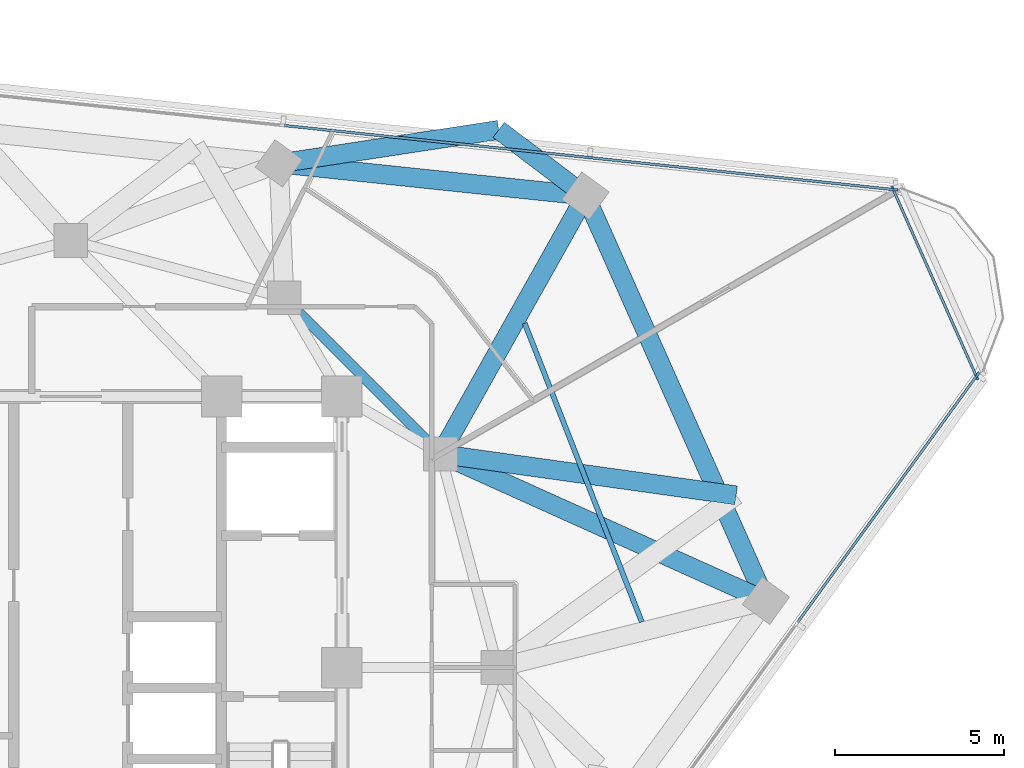
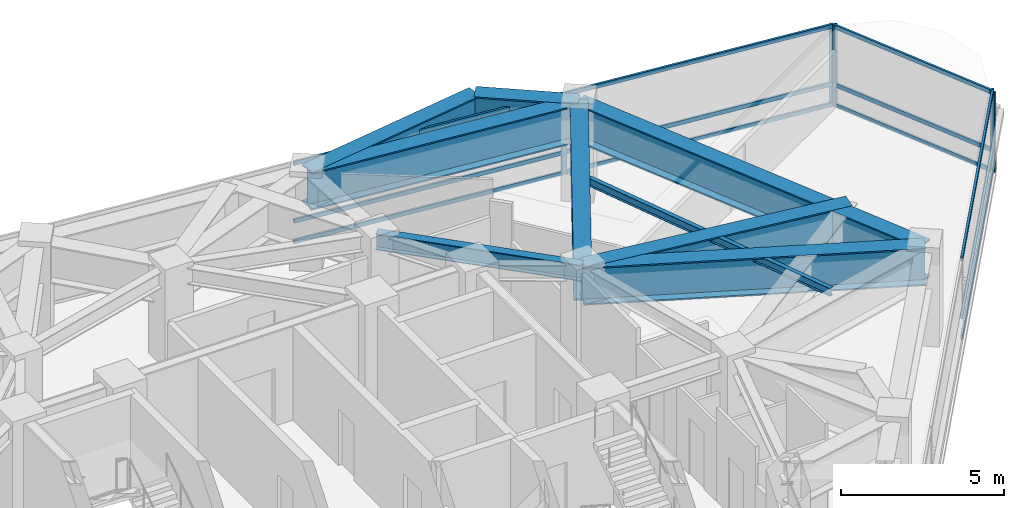
# One storey, part 6 of 14: 17 members, 9 beams, 3 elements without a shape of their own.
"""IFC4 building model written with IfcOpenShell, lengths in metres."""

from ifc_helpers import new_model, si_unit, direction, frame, origin, origin_2d, place, context, subcontext, project, spatial, rectangle, i_section, extrude, material, layer, layer_set, material_profile, profile_set, type_object, element, aggregate, save


model = new_model("IFC4")

# Units and contexts
model_context = context("Model", 3, precision=1e-05, world=origin(), true_north=direction((0.0, 1.0)))
body_context = subcontext(model_context, "Body", "Model", "MODEL_VIEW")
ifc_project = project(units=[si_unit("LENGTHUNIT", "METRE"), si_unit("AREAUNIT", "SQUARE_METRE"), si_unit("VOLUMEUNIT", "CUBIC_METRE"), si_unit("PLANEANGLEUNIT", "RADIAN"), si_unit("MASSUNIT", "GRAM", prefix="KILO")], contexts=[model_context])

# Site, building, storey
site_placement = place(None, origin())
site = spatial("IfcSite", under=ifc_project, at=site_placement, CompositionType="ELEMENT")
building_placement = place(site_placement, origin())
building = spatial("IfcBuilding", under=site, at=building_placement, Name="Terralouvre Media Tower", CompositionType="ELEMENT")
storey_placement = place(building_placement, frame((0.0, 0.0, 244.800048828125)))
storey = spatial("IfcBuildingStorey", under=building, at=storey_placement, Name="L63", CompositionType="ELEMENT", Elevation=244.800048828125)

# Beam
ifc_material_1 = material(Name="Structural steel S355J2", Category="steel")
ifc_material_profile_1 = material_profile(ifc_material_1, i_section(OverallWidth=0.14990234375, OverallDepth=0.300048828125, WebThickness=0.007080078125, FlangeThickness=0.0107421875, at=origin_2d()), Name="IPE 300")
ifc_profile_set_1 = profile_set([ifc_material_profile_1], Name="Structural steel S355J2")
beam_type_1 = type_object("IfcBeamType", Name="Composite Floor Joist J-IPE300 (IPE 300)", PredefinedType="JOIST", material=ifc_profile_set_1)
beam_1_placement = place(storey_placement, frame((16.848388671875, 1.344970703125, 3.349853515625), z_axis=(-0.36482625964, 0.931075614694, 0.0), x_axis=(-0.931075614694, -0.36482625964, 0.0)))
element("IfcBeam", 1, at=beam_1_placement, inside=storey, type_object=beam_type_1, Name="L63 Framing Beam JT-L63-03", PredefinedType="JOIST", context=body_context, shape_type="SweptSolid", body=[
    extrude(i_section(OverallWidth=0.14990234375, OverallDepth=0.300048828125, WebThickness=0.007080078125, FlangeThickness=0.0107421875, at=origin_2d()), origin(), (0.0, 0.0, 1.0), 9.465087890625),
])

# Curtain wall, members
ifc_material_2 = material(Name="Low-iron laminated double glazing with solar-control coating", Category="glass")
ifc_layer_1 = layer(ifc_material_2, 0.1650390625, Name="Upper Executive Tower Curtain Wall CW-05")
ifc_layer_set_1 = layer_set([ifc_layer_1], Name="Low-iron laminated double glazing with solar-control coating")
curtain_wall_type_1 = type_object("IfcCurtainWallType", Name="Upper Executive Tower Curtain Wall CW-05", PredefinedType="NOTDEFINED", material=ifc_layer_set_1)
curtain_wall_1_placement = place(storey_placement, origin())
curtain_wall_1 = element("IfcCurtainWall", 2, at=curtain_wall_1_placement, inside=storey, type_object=curtain_wall_type_1, Name="L63 Facade Curtain Wall F0", PredefinedType="NOTDEFINED")
ifc_material_3 = material(Name="Anodised extruded aluminium 6063-T6", Category="aluminium")
ifc_material_profile_2 = material_profile(ifc_material_3, rectangle(XDim=0.074951171875, YDim=0.14990234375, at=origin_2d()), Name="ALU 75x150")
ifc_profile_set_2 = profile_set([ifc_material_profile_2], Name="Anodised extruded aluminium 6063-T6")
member_type_1 = type_object("IfcMemberType", Name="Curtain-Wall Horizontal Transom TR-150", PredefinedType="USERDEFINED", material=ifc_profile_set_2)
member_1_placement = place(storey_placement, frame((21.446533203125, 1.3369140625, 0.037353515625), z_axis=(0.587787215692, 0.809015567878, 0.0), x_axis=(-0.809015567878, 0.587787215692, 0.0)))
member_1 = element("IfcMember", 3, at=member_1_placement, type_object=member_type_1, Name="CW-05 transom 5.1", ObjectType="TRANSOM", PredefinedType="USERDEFINED", context=body_context, shape_type="SweptSolid", body=[
    extrude(rectangle(XDim=0.074951171875, YDim=0.14990234375, at=origin_2d()), origin(), (0.0, 0.0, 1.0), 8.987548828125),
])
member_2_placement = place(storey_placement, frame((21.446533203125, 1.3369140625, 0.800048828125), z_axis=(0.587787215692, 0.809015567878, 0.0), x_axis=(-0.809015567878, 0.587787215692, 0.0)))
member_2 = element("IfcMember", 4, at=member_2_placement, type_object=member_type_1, Name="CW-05 transom 5.2", ObjectType="TRANSOM", PredefinedType="USERDEFINED", context=body_context, shape_type="SweptSolid", body=[
    extrude(rectangle(XDim=0.074951171875, YDim=0.14990234375, at=origin_2d()), origin(), (0.0, 0.0, 1.0), 8.987548828125),
])
member_3_placement = place(storey_placement, frame((21.446533203125, 1.3369140625, 2.96240234375), z_axis=(0.587787215692, 0.809015567878, 0.0), x_axis=(-0.809015567878, 0.587787215692, 0.0)))
member_3 = element("IfcMember", 5, at=member_3_placement, type_object=member_type_1, Name="CW-05 transom 5.3", ObjectType="TRANSOM", PredefinedType="USERDEFINED", context=body_context, shape_type="SweptSolid", body=[
    extrude(rectangle(XDim=0.074951171875, YDim=0.14990234375, at=origin_2d()), origin(), (0.0, 0.0, 1.0), 8.987548828125),
])

curtain_wall_2_placement = place(storey_placement, origin())
curtain_wall_2 = element("IfcCurtainWall", 6, at=curtain_wall_2_placement, inside=storey, type_object=curtain_wall_type_1, Name="L63 Facade Curtain Wall F1", PredefinedType="NOTDEFINED")
member_4_placement = place(storey_placement, frame((24.2822265625, 14.103759765625, 0.037353515625), z_axis=(-0.994521813919, 0.104529238206, 0.0), x_axis=(-0.104529238206, -0.994521813919, 0.0)))
member_4 = element("IfcMember", 7, at=member_4_placement, type_object=member_type_1, Name="CW-05 transom 1.1", ObjectType="TRANSOM", PredefinedType="USERDEFINED", context=body_context, shape_type="SweptSolid", body=[
    extrude(rectangle(XDim=0.074951171875, YDim=0.14990234375, at=origin_2d()), origin(), (0.0, 0.0, 1.0), 8.987548828125),
])
member_5_placement = place(storey_placement, frame((24.2822265625, 14.103759765625, 0.800048828125), z_axis=(-0.994521813919, 0.104529238206, 0.0), x_axis=(-0.104529238206, -0.994521813919, 0.0)))
member_5 = element("IfcMember", 8, at=member_5_placement, type_object=member_type_1, Name="CW-05 transom 1.2", ObjectType="TRANSOM", PredefinedType="USERDEFINED", context=body_context, shape_type="SweptSolid", body=[
    extrude(rectangle(XDim=0.074951171875, YDim=0.14990234375, at=origin_2d()), origin(), (0.0, 0.0, 1.0), 8.987548828125),
])
member_6_placement = place(storey_placement, frame((24.2822265625, 14.103759765625, 2.96240234375), z_axis=(-0.994521813919, 0.104529238206, 0.0), x_axis=(-0.104529238206, -0.994521813919, 0.0)))
member_6 = element("IfcMember", 9, at=member_6_placement, type_object=member_type_1, Name="CW-05 transom 1.3", ObjectType="TRANSOM", PredefinedType="USERDEFINED", context=body_context, shape_type="SweptSolid", body=[
    extrude(rectangle(XDim=0.074951171875, YDim=0.14990234375, at=origin_2d()), origin(), (0.0, 0.0, 1.0), 8.987548828125),
])
member_7_placement = place(storey_placement, frame((15.26953125, 15.051025390625, 0.037353515625), z_axis=(-0.994522041896, 0.104527069141, 0.0), x_axis=(-0.104527069141, -0.994522041896, 0.0)))
member_7 = element("IfcMember", 10, at=member_7_placement, type_object=member_type_1, Name="CW-05 transom 2.1", ObjectType="TRANSOM", PredefinedType="USERDEFINED", context=body_context, shape_type="SweptSolid", body=[
    extrude(rectangle(XDim=0.074951171875, YDim=0.14990234375, at=origin_2d()), origin(), (0.0, 0.0, 1.0), 9.025146484375),
])
member_8_placement = place(storey_placement, frame((15.26953125, 15.051025390625, 0.800048828125), z_axis=(-0.994522041896, 0.104527069141, 0.0), x_axis=(-0.104527069141, -0.994522041896, 0.0)))
member_8 = element("IfcMember", 11, at=member_8_placement, type_object=member_type_1, Name="CW-05 transom 2.2", ObjectType="TRANSOM", PredefinedType="USERDEFINED", context=body_context, shape_type="SweptSolid", body=[
    extrude(rectangle(XDim=0.074951171875, YDim=0.14990234375, at=origin_2d()), origin(), (0.0, 0.0, 1.0), 9.025146484375),
])
member_9_placement = place(storey_placement, frame((15.26953125, 15.051025390625, 2.96240234375), z_axis=(-0.994522041896, 0.104527069141, 0.0), x_axis=(-0.104527069141, -0.994522041896, 0.0)))
member_9 = element("IfcMember", 12, at=member_9_placement, type_object=member_type_1, Name="CW-05 transom 2.3", ObjectType="TRANSOM", PredefinedType="USERDEFINED", context=body_context, shape_type="SweptSolid", body=[
    extrude(rectangle(XDim=0.074951171875, YDim=0.14990234375, at=origin_2d()), origin(), (0.0, 0.0, 1.0), 9.025146484375),
])

ifc_material_4 = material(Name="Low-iron laminated double glazing with solar-control coating", Category="glass")
ifc_layer_2 = layer(ifc_material_4, 0.1650390625, Name="Rounded Wind-Corner Curved Glazing CW-04")
ifc_layer_set_2 = layer_set([ifc_layer_2], Name="Low-iron laminated double glazing with solar-control coating")
curtain_wall_type_2 = type_object("IfcCurtainWallType", Name="Rounded Wind-Corner Curved Glazing CW-04", PredefinedType="NOTDEFINED", material=ifc_layer_set_2)
curtain_wall_3_placement = place(storey_placement, origin())
curtain_wall_3 = element("IfcCurtainWall", 13, at=curtain_wall_3_placement, inside=storey, type_object=curtain_wall_type_2, Name="L63 Rounded Wind-Corner Curtain Wall C1", PredefinedType="NOTDEFINED")
member_10_placement = place(storey_placement, frame((26.7119140625, 8.609619140625, 0.037353515625), z_axis=(-0.406735002592, 0.913546188031, 0.0), x_axis=(-0.913546188031, -0.406735002592, 0.0)))
member_10 = element("IfcMember", 14, at=member_10_placement, type_object=member_type_1, Name="CW-04 transom 1.1", ObjectType="TRANSOM", PredefinedType="USERDEFINED", context=body_context, shape_type="SweptSolid", body=[
    extrude(rectangle(XDim=0.074951171875, YDim=0.14990234375, at=origin_2d()), origin(), (0.0, 0.0, 1.0), 5.998779296875),
])
member_11_placement = place(storey_placement, frame((26.7119140625, 8.609619140625, 0.800048828125), z_axis=(-0.406735002592, 0.913546188031, 0.0), x_axis=(-0.913546188031, -0.406735002592, 0.0)))
member_11 = element("IfcMember", 15, at=member_11_placement, type_object=member_type_1, Name="CW-04 transom 1.2", ObjectType="TRANSOM", PredefinedType="USERDEFINED", context=body_context, shape_type="SweptSolid", body=[
    extrude(rectangle(XDim=0.074951171875, YDim=0.14990234375, at=origin_2d()), origin(), (0.0, 0.0, 1.0), 5.998779296875),
])
member_12_placement = place(storey_placement, frame((26.7119140625, 8.609619140625, 2.96240234375), z_axis=(-0.406735002592, 0.913546188031, 0.0), x_axis=(-0.913546188031, -0.406735002592, 0.0)))
member_12 = element("IfcMember", 16, at=member_12_placement, type_object=member_type_1, Name="CW-04 transom 1.3", ObjectType="TRANSOM", PredefinedType="USERDEFINED", context=body_context, shape_type="SweptSolid", body=[
    extrude(rectangle(XDim=0.074951171875, YDim=0.14990234375, at=origin_2d()), origin(), (0.0, 0.0, 1.0), 5.998779296875),
])

# Member
ifc_material_5 = material(Name="Anodised extruded aluminium 6063-T6", Category="aluminium")
ifc_material_profile_3 = material_profile(ifc_material_5, rectangle(XDim=0.074951171875, YDim=0.179931640625, at=origin_2d()), Name="ALU 75x180")
ifc_profile_set_3 = profile_set([ifc_material_profile_3], Name="Anodised extruded aluminium 6063-T6")
member_type_2 = type_object("IfcMemberType", Name="Curtain-Wall Vertical Mullion ML-180", PredefinedType="MULLION", material=ifc_profile_set_3)
member_13_placement = place(storey_placement, frame((26.751220703125, 8.63818359375, 0.0), z_axis=(0.0, 0.0, 1.0), x_axis=(-0.809016959074, 0.587785300879, 0.0)))
member_13 = element("IfcMember", 17, at=member_13_placement, type_object=member_type_2, Name="CW-05 mullion 6", PredefinedType="MULLION", context=body_context, shape_type="SweptSolid", body=[
    extrude(rectangle(XDim=0.074951171875, YDim=0.179931640625, at=origin_2d()), origin(), (0.0, 0.0, 1.0), 3.0),
])

aggregate(curtain_wall_1, [member_13, member_1, member_2, member_3])

member_14_placement = place(storey_placement, frame((24.319580078125, 14.099853515625, 0.0), z_axis=(0.0, 0.0, 1.0), x_axis=(-0.104528561651, -0.994521885028, 0.0)))
member_14 = element("IfcMember", 18, at=member_14_placement, type_object=member_type_2, Name="CW-05 mullion 1", PredefinedType="MULLION", context=body_context, shape_type="SweptSolid", body=[
    extrude(rectangle(XDim=0.074951171875, YDim=0.179931640625, at=origin_2d()), origin(), (0.0, 0.0, 1.0), 3.0),
])

member_15_placement = place(storey_placement, frame((15.306640625, 15.047119140625, 0.0), z_axis=(0.0, 0.0, 1.0), x_axis=(-0.104528561651, -0.994521885028, 0.0)))
member_15 = element("IfcMember", 19, at=member_15_placement, type_object=member_type_2, Name="CW-05 mullion 2", PredefinedType="MULLION", context=body_context, shape_type="SweptSolid", body=[
    extrude(rectangle(XDim=0.074951171875, YDim=0.179931640625, at=origin_2d()), origin(), (0.0, 0.0, 1.0), 3.0),
])

aggregate(curtain_wall_2, [member_14, member_15, member_4, member_5, member_6, member_7, member_8, member_9])

member_16_placement = place(storey_placement, frame((26.727294921875, 8.575439453125, 0.0), z_axis=(0.0, 0.0, 1.0), x_axis=(-0.913545102243, -0.406737441315, 0.0)))
member_16 = element("IfcMember", 20, at=member_16_placement, type_object=member_type_2, Name="CW-04 mullion 1", PredefinedType="MULLION", context=body_context, shape_type="SweptSolid", body=[
    extrude(rectangle(XDim=0.074951171875, YDim=0.179931640625, at=origin_2d()), origin(), (0.0, 0.0, 1.0), 3.0),
])

member_17_placement = place(storey_placement, frame((24.2568359375, 14.1240234375, 0.0), z_axis=(0.0, 0.0, 1.0), x_axis=(-0.913545102243, -0.406737441315, 0.0)))
member_17 = element("IfcMember", 21, at=member_17_placement, type_object=member_type_2, Name="CW-04 mullion 2", PredefinedType="MULLION", context=body_context, shape_type="SweptSolid", body=[
    extrude(rectangle(XDim=0.074951171875, YDim=0.179931640625, at=origin_2d()), origin(), (0.0, 0.0, 1.0), 3.0),
])

aggregate(curtain_wall_3, [member_16, member_17, member_10, member_11, member_12])

# Beams
ifc_material_6 = material(Name="Structural steel S460M", Category="steel")
ifc_material_profile_4 = material_profile(ifc_material_6, i_section(OverallWidth=0.300048828125, OverallDepth=0.60009765625, WebThickness=0.015380859375, FlangeThickness=0.030029296875, at=origin_2d()), Name="HEB 600")
ifc_profile_set_4 = profile_set([ifc_material_profile_4], Name="Structural steel S460M")
beam_type_2 = type_object("IfcBeamType", Name="Primary Floor Girder B-HEB600 (HEB 600)", PredefinedType="BEAM", material=ifc_profile_set_4)
beam_2_placement = place(storey_placement, frame((10.911865234375, 6.300048828125, 3.199951171875), z_axis=(-0.707106781187, 0.707106781187, 0.0), x_axis=(-0.707106781187, -0.707106781187, 0.0)))
element("IfcBeam", 22, at=beam_2_placement, inside=storey, type_object=beam_type_2, Name="L63 Framing Beam BM-L63-MR07", PredefinedType="BEAM", context=body_context, shape_type="SweptSolid", body=[
    extrude(i_section(OverallWidth=0.300048828125, OverallDepth=0.60009765625, WebThickness=0.015380859375, FlangeThickness=0.030029296875, at=origin_2d()), origin(), (0.0, 0.0, 1.0), 6.52197265625),
])
ifc_material_7 = material(Name="Structural steel S460M", Category="steel")
ifc_material_profile_5 = material_profile(ifc_material_7, i_section(OverallWidth=0.56005859375, OverallDepth=1.39990234375, WebThickness=0.031982421875, FlangeThickness=0.050048828125, at=origin_2d()), Name="TG 1400x560")
ifc_profile_set_5 = profile_set([ifc_material_profile_5], Name="Structural steel S460M")
beam_type_3 = type_object("IfcBeamType", Name="Welded Transfer Girder TG-1400 (TG 1400x560)", PredefinedType="USERDEFINED", material=ifc_profile_set_5)
beam_3_placement = place(storey_placement, frame((20.51025390625, 1.970703125, 2.800048828125), z_axis=(-0.406744336382, 0.913542032323, 0.0), x_axis=(-0.913542032323, -0.406744336382, 0.0)))
element("IfcBeam", 23, at=beam_3_placement, inside=storey, type_object=beam_type_3, Name="L63 Framing Beam BM-L63-PR07", ObjectType="TRANSFER GIRDER", PredefinedType="USERDEFINED", context=body_context, shape_type="SweptSolid", body=[
    extrude(i_section(OverallWidth=0.56005859375, OverallDepth=1.39990234375, WebThickness=0.031982421875, FlangeThickness=0.050048828125, at=origin_2d()), origin(), (0.0, 0.0, 1.0), 13.083740234375),
])
beam_4_placement = place(storey_placement, frame((15.1884765625, 13.92333984375, 2.800048828125), z_axis=(-0.994522199081, 0.104525573596, 0.0), x_axis=(-0.104525573596, -0.994522199081, 0.0)))
element("IfcBeam", 24, at=beam_4_placement, inside=storey, type_object=beam_type_3, Name="L63 Framing Beam BM-L63-PR08", ObjectType="TRANSFER GIRDER", PredefinedType="USERDEFINED", context=body_context, shape_type="SweptSolid", body=[
    extrude(i_section(OverallWidth=0.56005859375, OverallDepth=1.39990234375, WebThickness=0.031982421875, FlangeThickness=0.050048828125, at=origin_2d()), origin(), (0.0, 0.0, 1.0), 9.099853515625),
])
beam_5_placement = place(storey_placement, frame((10.911865234375, 6.300048828125, 2.800048828125), z_axis=(0.489262374018, 0.872136646042, 0.0), x_axis=(-0.872136646042, 0.489262374018, 0.0)))
element("IfcBeam", 25, at=beam_5_placement, inside=storey, type_object=beam_type_3, Name="L63 Framing Beam BM-L63-RD08", ObjectType="TRANSFER GIRDER", PredefinedType="USERDEFINED", context=body_context, shape_type="SweptSolid", body=[
    extrude(i_section(OverallWidth=0.56005859375, OverallDepth=1.39990234375, WebThickness=0.031982421875, FlangeThickness=0.050048828125, at=origin_2d()), origin(), (0.0, 0.0, 1.0), 8.740966796875),
])
beam_6_placement = place(storey_placement, frame((20.51025390625, 1.970703125, 2.800048828125), z_axis=(-0.911563243315, 0.411159887923, 0.0), x_axis=(-0.411159887923, -0.911563243315, 0.0)))
element("IfcBeam", 26, at=beam_6_placement, inside=storey, type_object=beam_type_3, Name="L63 Framing Beam BM-L63-TRC04", ObjectType="TRANSFER GIRDER", PredefinedType="USERDEFINED", context=body_context, shape_type="SweptSolid", body=[
    extrude(i_section(OverallWidth=0.56005859375, OverallDepth=1.39990234375, WebThickness=0.031982421875, FlangeThickness=0.050048828125, at=origin_2d()), origin(), (0.0, 0.0, 1.0), 10.529541015625),
])
beam_7_placement = place(storey_placement, frame((19.62939453125, 5.082275390625, 2.800048828125), z_axis=(-0.990383518411, 0.138349146941, 0.0), x_axis=(-0.138349146941, -0.990383518411, 0.0)))
element("IfcBeam", 27, at=beam_7_placement, inside=storey, type_object=beam_type_3, Name="L63 Framing Beam BM-L63-TR04S2", ObjectType="TRANSFER GIRDER", PredefinedType="USERDEFINED", context=body_context, shape_type="SweptSolid", body=[
    extrude(i_section(OverallWidth=0.56005859375, OverallDepth=1.39990234375, WebThickness=0.031982421875, FlangeThickness=0.050048828125, at=origin_2d()), origin(), (0.0, 0.0, 1.0), 8.80224609375),
])
beam_8_placement = place(storey_placement, frame((12.626953125, 15.865234375, 2.800048828125), z_axis=(0.796890480322, -0.604123797224, 0.0), x_axis=(0.604123797224, 0.796890480322, 0.0)))
element("IfcBeam", 28, at=beam_8_placement, inside=storey, type_object=beam_type_3, Name="L63 Framing Beam BM-L63-TR05S1", ObjectType="TRANSFER GIRDER", PredefinedType="USERDEFINED", context=body_context, shape_type="SweptSolid", body=[
    extrude(i_section(OverallWidth=0.56005859375, OverallDepth=1.39990234375, WebThickness=0.031982421875, FlangeThickness=0.050048828125, at=origin_2d()), origin(), (0.0, 0.0, 1.0), 3.21435546875),
])
beam_9_placement = place(storey_placement, frame((12.626953125, 15.865234375, 2.800048828125), z_axis=(-0.988543067331, -0.150939073907, 0.0), x_axis=(0.150939073907, -0.988543067331, 0.0)))
element("IfcBeam", 29, at=beam_9_placement, inside=storey, type_object=beam_type_3, Name="L63 Framing Beam BM-L63-TR05S2", ObjectType="TRANSFER GIRDER", PredefinedType="USERDEFINED", context=body_context, shape_type="SweptSolid", body=[
    extrude(i_section(OverallWidth=0.56005859375, OverallDepth=1.39990234375, WebThickness=0.031982421875, FlangeThickness=0.050048828125, at=origin_2d()), origin(), (0.0, 0.0, 1.0), 6.563720703125),
])

save(model, "model.ifc")
